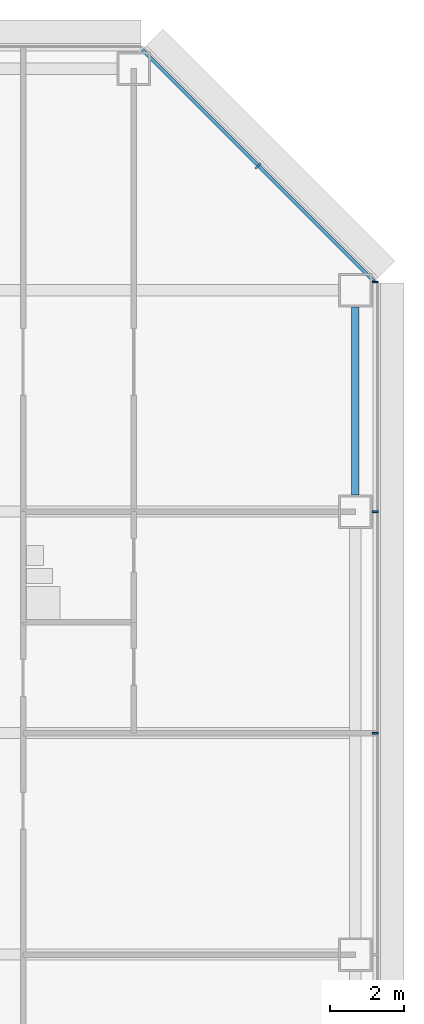
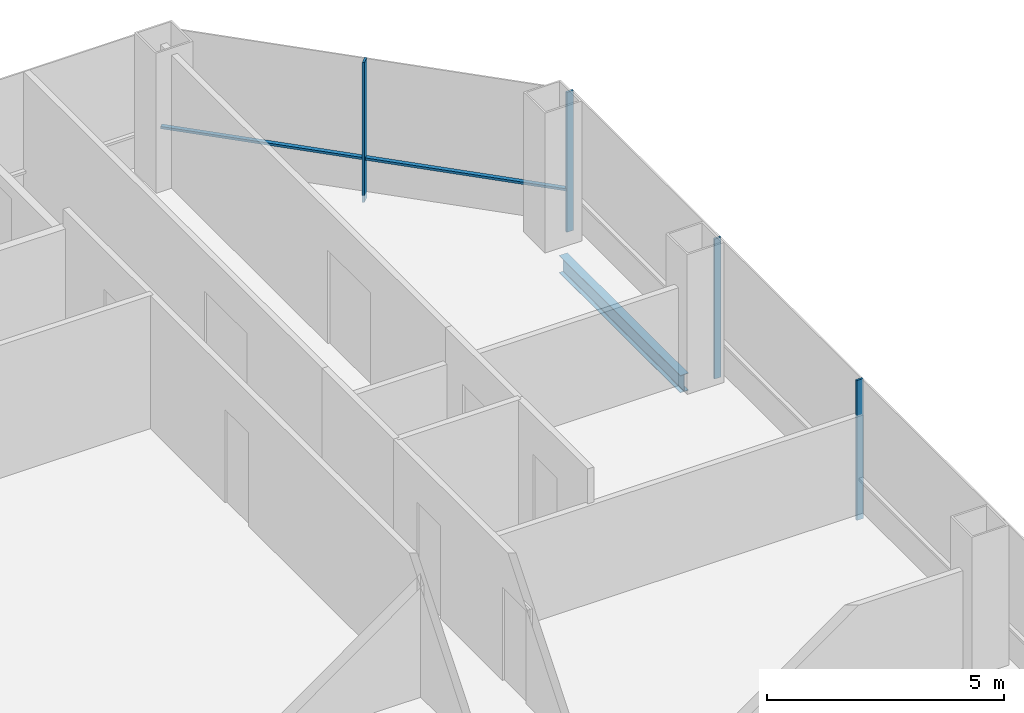
# One storey, part 18 of 27: 5 members, 1 beam, 2 elements without a shape of their own.
"""IFC4 building model written with IfcOpenShell, lengths in metres."""

from ifc_helpers import new_model, si_unit, direction, frame, origin, origin_2d, place, context, subcontext, project, spatial, rectangle, i_section, extrude, material, material_profile, profile_set, type_object, element, aggregate, save


model = new_model("IFC4")

# Units and contexts
model_context = context("Model", 3, precision=1e-05, world=origin(), true_north=direction((0.0, 1.0)))
body_context = subcontext(model_context, "Body", "Model", "MODEL_VIEW")
ifc_project = project(units=[si_unit("LENGTHUNIT", "METRE"), si_unit("AREAUNIT", "SQUARE_METRE"), si_unit("VOLUMEUNIT", "CUBIC_METRE"), si_unit("PLANEANGLEUNIT", "RADIAN"), si_unit("MASSUNIT", "GRAM", prefix="KILO")], contexts=[model_context])

# Site, building, storey
site_placement = place(None, origin())
site = spatial("IfcSite", under=ifc_project, at=site_placement, CompositionType="ELEMENT")
building_placement = place(site_placement, origin())
building = spatial("IfcBuilding", under=site, at=building_placement, Name="Sorahane Residences", CompositionType="ELEMENT")
storey_placement = place(building_placement, frame((0.0, 0.0, 82.199951171875)))
storey = spatial("IfcBuildingStorey", under=building, at=storey_placement, Name="L17", CompositionType="ELEMENT", Elevation=82.199951171875)

# Curtain wall, members
ifc_material_1 = material(Name="Dark low-e glass and black anodised aluminium", Category="aluminium")
curtain_wall_type_1 = type_object("IfcCurtainWallType", Name="Curtain wall CW-1 Typical unitised wall", PredefinedType="NOTDEFINED", material=ifc_material_1)
curtain_wall_1_placement = place(storey_placement, origin())
curtain_wall_1 = element("IfcCurtainWall", 1, at=curtain_wall_1_placement, inside=storey, type_object=curtain_wall_type_1, Name="CW-1 curtain wall L17 E2", PredefinedType="NOTDEFINED")
ifc_material_2 = material(Name="Black anodised aluminium", Category="aluminium")
ifc_material_profile_1 = material_profile(ifc_material_2, rectangle(XDim=0.159912109375, YDim=0.050048828125, at=origin_2d()), Name="Curtain wall mullion CW-1 black anodised aluminium 50x160")
ifc_profile_set_1 = profile_set([ifc_material_profile_1], Name="Black anodised aluminium")
member_type_1 = type_object("IfcMemberType", Name="Curtain wall mullion CW-1 black anodised aluminium 50x160", PredefinedType="MULLION", material=ifc_profile_set_1)
member_1_placement = place(storey_placement, frame((66.5400390625, 30.0, -0.179931640625), z_axis=(0.0, 0.0, 1.0), x_axis=(1.0, 0.0, 0.0)))
member_1 = element("IfcMember", 2, at=member_1_placement, type_object=member_type_1, Name="CW-1 mullion L17 E2.5", PredefinedType="MULLION", context=body_context, shape_type="SweptSolid", body=[
    extrude(rectangle(XDim=0.159912109375, YDim=0.050048828125, at=origin_2d()), origin(), (0.0, 0.0, 1.0), 3.60009765625),
])
member_2_placement = place(storey_placement, frame((66.5400390625, 36.0, -0.179931640625), z_axis=(0.0, 0.0, 1.0), x_axis=(1.0, 0.0, 0.0)))
member_2 = element("IfcMember", 3, at=member_2_placement, type_object=member_type_1, Name="CW-1 mullion L17 E2.6", PredefinedType="MULLION", context=body_context, shape_type="SweptSolid", body=[
    extrude(rectangle(XDim=0.159912109375, YDim=0.050048828125, at=origin_2d()), origin(), (0.0, 0.0, 1.0), 3.60009765625),
])
member_3_placement = place(storey_placement, frame((66.5400390625, 42.2236328125, -0.179931640625), z_axis=(0.0, 0.0, 1.0), x_axis=(1.0, 0.0, 0.0)))
member_3 = element("IfcMember", 4, at=member_3_placement, type_object=member_type_1, Name="CW-1 mullion L17 E2.7", PredefinedType="MULLION", context=body_context, shape_type="SweptSolid", body=[
    extrude(rectangle(XDim=0.159912109375, YDim=0.050048828125, at=origin_2d()), origin(), (0.0, 0.0, 1.0), 3.60009765625),
])
aggregate(curtain_wall_1, [member_1, member_2, member_3])

ifc_material_3 = material(Name="Dark low-e glass and black anodised aluminium", Category="aluminium")
curtain_wall_type_2 = type_object("IfcCurtainWallType", Name="Curtain wall CW-2 Chamfer unitised wall", PredefinedType="NOTDEFINED", material=ifc_material_3)
curtain_wall_2_placement = place(storey_placement, origin())
curtain_wall_2 = element("IfcCurtainWall", 5, at=curtain_wall_2_placement, inside=storey, type_object=curtain_wall_type_2, Name="CW-2 curtain wall L17 NE1", PredefinedType="NOTDEFINED")
ifc_material_4 = material(Name="Black anodised aluminium", Category="aluminium")
ifc_material_profile_2 = material_profile(ifc_material_4, rectangle(XDim=0.199951171875, YDim=0.050048828125, at=origin_2d()), Name="Curtain wall mullion CW-2 black anodised aluminium 50x200")
ifc_profile_set_2 = profile_set([ifc_material_profile_2], Name="Black anodised aluminium")
member_type_2 = type_object("IfcMemberType", Name="Curtain wall mullion CW-2 black anodised aluminium 50x200", PredefinedType="MULLION", material=ifc_profile_set_2)
member_4_placement = place(storey_placement, frame((63.36767578125, 45.36767578125, -0.179931640625), z_axis=(0.0, 0.0, 1.0), x_axis=(0.707106781187, 0.707106781187, 0.0)))
member_4 = element("IfcMember", 6, at=member_4_placement, type_object=member_type_2, Name="CW-2 mullion L17 NE1.2", PredefinedType="MULLION", context=body_context, shape_type="SweptSolid", body=[
    extrude(rectangle(XDim=0.199951171875, YDim=0.050048828125, at=origin_2d()), origin(), (0.0, 0.0, 1.0), 3.60009765625),
])
ifc_material_5 = material(Name="Black anodised aluminium", Category="aluminium")
ifc_material_profile_3 = material_profile(ifc_material_5, rectangle(XDim=0.10009765625, YDim=0.06005859375, at=origin_2d()), Name="Curtain wall transom CW-2 black anodised aluminium 60x100")
ifc_profile_set_3 = profile_set([ifc_material_profile_3], Name="Black anodised aluminium")
member_type_3 = type_object("IfcMemberType", Name="Curtain wall transom CW-2 black anodised aluminium 60x100", PredefinedType="USERDEFINED", material=ifc_profile_set_3)
member_5_placement = place(storey_placement, frame((66.51513671875, 42.234375, 0.900146484375), z_axis=(-0.707106781187, 0.707106781187, 0.0), x_axis=(-0.707106781187, -0.707106781187, 0.0)))
member_5 = element("IfcMember", 7, at=member_5_placement, type_object=member_type_3, Name="CW-2 transom L17 NE1", ObjectType="TRANSOM", PredefinedType="USERDEFINED", context=body_context, shape_type="SweptSolid", body=[
    extrude(rectangle(XDim=0.10009765625, YDim=0.06005859375, at=origin_2d()), origin(), (0.0, 0.0, 1.0), 8.88232421875),
])
aggregate(curtain_wall_2, [member_4, member_5])

# Beam
ifc_material_6 = material(Name="Steel Q355B", Category="steel")
ifc_material_profile_4 = material_profile(ifc_material_6, i_section(OverallWidth=0.199951171875, OverallDepth=0.449951171875, WebThickness=0.009033203125, FlangeThickness=0.013916015625, FilletRadius=0.02001953125, at=origin_2d()), Name="HN 450x200x9x14")
ifc_profile_set_4 = profile_set([ifc_material_profile_4], Name="Steel Q355B")
beam_type = type_object("IfcBeamType", Name="Steel floor beam HN 450x200x9x14 Q355B", PredefinedType="BEAM", material=ifc_profile_set_4)
beam_placement = place(storey_placement, frame((66.0, 36.449951171875, -0.405029296875), z_axis=(0.0, 1.0, 0.0), x_axis=(-1.0, 0.0, 0.0)))
element("IfcBeam", 8, at=beam_placement, inside=storey, type_object=beam_type, Name="Beam L17 059", PredefinedType="BEAM", context=body_context, shape_type="SweptSolid", body=[
    extrude(i_section(OverallWidth=0.199951171875, OverallDepth=0.449951171875, WebThickness=0.009033203125, FlangeThickness=0.013916015625, FilletRadius=0.02001953125, at=origin_2d()), origin(), (0.0, 0.0, 1.0), 5.10009765625),
])

save(model, "model.ifc")
